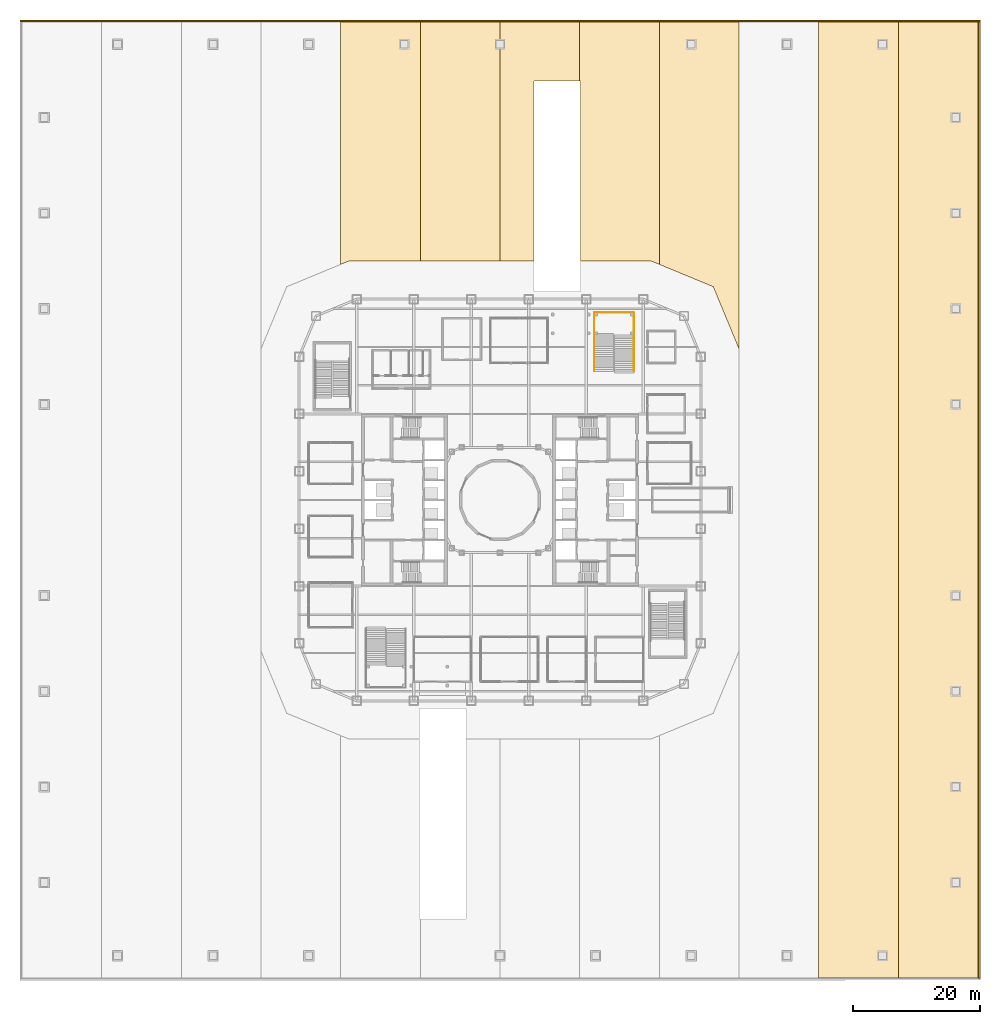
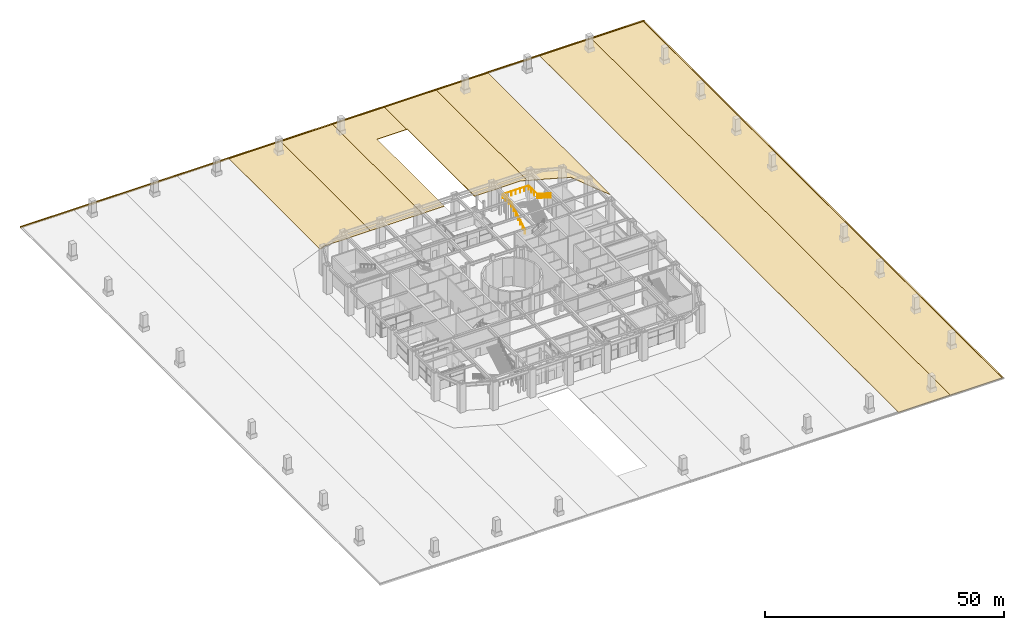
# One storey, part 19 of 20: 9 coverings, 1 railing.
"""IFC4 building model written with IfcOpenShell, lengths in metres."""

from ifc_helpers import new_model, si_unit, direction, frame, origin, origin_2d, place, context, subcontext, project, spatial, polyline, circle, outline, extrude, material, layer, layer_set, type_object, element, save


model = new_model("IFC4")

# Units and contexts
model_context = context("Model", 3, precision=1e-05, world=origin(), true_north=direction((0.0, 1.0)))
body_context = subcontext(model_context, "Body", "Model", "MODEL_VIEW")
ifc_project = project(units=[si_unit("LENGTHUNIT", "METRE"), si_unit("AREAUNIT", "SQUARE_METRE"), si_unit("VOLUMEUNIT", "CUBIC_METRE"), si_unit("PLANEANGLEUNIT", "RADIAN"), si_unit("MASSUNIT", "GRAM", prefix="KILO")], contexts=[model_context])

# Site, building, storey
site_placement = place(None, origin())
site = spatial("IfcSite", under=ifc_project, at=site_placement, CompositionType="ELEMENT")
building_placement = place(site_placement, origin())
building = spatial("IfcBuilding", under=site, at=building_placement, Name="Siwar Civic Tower", CompositionType="ELEMENT")
storey_placement = place(building_placement, origin())
storey = spatial("IfcBuildingStorey", under=building, at=storey_placement, Name="L00", CompositionType="ELEMENT", Elevation=0.0)

# Coverings
ifc_material_1 = material(Name="Granite kerb", Category="masonry")
ifc_layer_1 = layer(ifc_material_1, 0.25)
ifc_layer_set_1 = layer_set([ifc_layer_1], Name="Granite kerb")
covering_type_1 = type_object("IfcCoveringType", Name="GND-KERB", PredefinedType="USERDEFINED", material=ifc_layer_set_1)
covering_1_placement = place(storey_placement, frame((0.0, 0.0, -0.14990234375)))
element("IfcCovering", 1, at=covering_1_placement, inside=storey, type_object=covering_type_1, Name="Kerb", ObjectType="KERB", PredefinedType="USERDEFINED", context=body_context, shape_type="SweptSolid", body=[
    extrude(outline(polyline([(75.0, -75.0), (75.300048828125, -75.0), (75.300048828125, 75.0), (75.0, 75.0), (75.0, -75.0)])), origin(), (0.0, 0.0, 1.0), 0.25),
])
covering_2_placement = place(storey_placement, frame((0.0, 0.0, -0.14990234375)))
element("IfcCovering", 2, at=covering_2_placement, inside=storey, type_object=covering_type_1, Name="Kerb", ObjectType="KERB", PredefinedType="USERDEFINED", context=body_context, shape_type="SweptSolid", body=[
    extrude(outline(polyline([(-75.300048828125, 75.0), (75.300048828125, 75.0), (75.300048828125, 75.300048828125), (-75.300048828125, 75.300048828125), (-75.300048828125, 75.0)])), origin(), (0.0, 0.0, 1.0), 0.25),
])
ifc_material_2 = material(Name="Granite paving", Category="masonry")
ifc_layer_2 = layer(ifc_material_2, 0.14990234375)
ifc_layer_set_2 = layer_set([ifc_layer_2], Name="Granite paving")
covering_type_2 = type_object("IfcCoveringType", Name="GND-PAVING", PredefinedType="USERDEFINED", material=ifc_layer_set_2)
covering_3_placement = place(storey_placement, frame((0.0, 0.0, -0.14990234375)))
element("IfcCovering", 3, at=covering_3_placement, inside=storey, type_object=covering_type_2, Name="Paving", ObjectType="PAVING", PredefinedType="USERDEFINED", context=body_context, shape_type="SweptSolid", body=[
    extrude(outline(polyline([(-12.5, 75.0), (-12.5, 37.5), (-23.693115234375, 37.5), (-25.0, 36.95849609375), (-25.0, 75.0), (-12.5, 75.0)])), origin(), (0.0, 0.0, 1.0), 0.14990234375),
])
covering_4_placement = place(storey_placement, frame((0.0, 0.0, -0.14990234375)))
element("IfcCovering", 4, at=covering_4_placement, inside=storey, type_object=covering_type_2, Name="Paving", ObjectType="PAVING", PredefinedType="USERDEFINED", context=body_context, shape_type="SweptSolid", body=[
    extrude(outline(polyline([(12.5, 75.0), (12.5, 65.699951171875), (5.35009765625, 65.699951171875), (5.35009765625, 37.5), (0.0, 37.5), (0.0, 75.0), (12.5, 75.0)])), origin(), (0.0, 0.0, 1.0), 0.14990234375),
])
covering_5_placement = place(storey_placement, frame((0.0, 0.0, -0.14990234375)))
element("IfcCovering", 5, at=covering_5_placement, inside=storey, type_object=covering_type_2, Name="Paving", ObjectType="PAVING", PredefinedType="USERDEFINED", context=body_context, shape_type="SweptSolid", body=[
    extrude(outline(polyline([(37.5, 75.0), (37.5, 23.693115234375), (33.4560546875, 33.4560546875), (25.0, 36.95849609375), (25.0, 75.0), (37.5, 75.0)])), origin(), (0.0, 0.0, 1.0), 0.14990234375),
])
covering_6_placement = place(storey_placement, frame((0.0, 0.0, -0.14990234375)))
element("IfcCovering", 6, at=covering_6_placement, inside=storey, type_object=covering_type_2, Name="Paving", ObjectType="PAVING", PredefinedType="USERDEFINED", context=body_context, shape_type="SweptSolid", body=[
    extrude(outline(polyline([(62.5, 75.0), (62.5, -75.0), (50.0, -75.0), (50.0, 75.0), (62.5, 75.0)])), origin(), (0.0, 0.0, 1.0), 0.14990234375),
])
ifc_material_3 = material(Name="Limestone paving", Category="masonry")
ifc_layer_3 = layer(ifc_material_3, 0.14990234375)
ifc_layer_set_3 = layer_set([ifc_layer_3], Name="Limestone paving")
covering_type_3 = type_object("IfcCoveringType", Name="GND-PAVING-STONE", PredefinedType="USERDEFINED", material=ifc_layer_set_3)
covering_7_placement = place(storey_placement, frame((0.0, 0.0, -0.14990234375)))
element("IfcCovering", 7, at=covering_7_placement, inside=storey, type_object=covering_type_3, Name="Paving", ObjectType="PAVING", PredefinedType="USERDEFINED", context=body_context, shape_type="SweptSolid", body=[
    extrude(outline(polyline([(0.0, 75.0), (0.0, 37.5), (-12.5, 37.5), (-12.5, 75.0), (0.0, 75.0)])), origin(), (0.0, 0.0, 1.0), 0.14990234375),
])
covering_8_placement = place(storey_placement, frame((0.0, 0.0, -0.14990234375)))
element("IfcCovering", 8, at=covering_8_placement, inside=storey, type_object=covering_type_3, Name="Paving", ObjectType="PAVING", PredefinedType="USERDEFINED", context=body_context, shape_type="SweptSolid", body=[
    extrude(outline(polyline([(25.0, 75.0), (25.0, 36.95849609375), (23.693115234375, 37.5), (12.64990234375, 37.5), (12.64990234375, 65.699951171875), (12.5, 65.699951171875), (12.5, 75.0), (25.0, 75.0)])), origin(), (0.0, 0.0, 1.0), 0.14990234375),
])
covering_9_placement = place(storey_placement, frame((0.0, 0.0, -0.14990234375)))
element("IfcCovering", 9, at=covering_9_placement, inside=storey, type_object=covering_type_3, Name="Paving", ObjectType="PAVING", PredefinedType="USERDEFINED", context=body_context, shape_type="SweptSolid", body=[
    extrude(outline(polyline([(75.0, 75.0), (75.0, -75.0), (62.5, -75.0), (62.5, 75.0), (75.0, 75.0)])), origin(), (0.0, 0.0, 1.0), 0.14990234375),
])

# Railing
ifc_material_4 = material(Name="Stainless steel", Category="steel")
railing_type = type_object("IfcRailingType", Name="GND-RAIL", PredefinedType="GUARDRAIL", material=ifc_material_4)
railing_placement = place(storey_placement, frame((14.800048828125, 20.199951171875, 0.17138671875)))
element("IfcRailing", 10, at=railing_placement, inside=storey, type_object=railing_type, Name="Guard GS2", PredefinedType="GUARDRAIL", context=body_context, shape_type="SweptSolid", body=[
    extrude(circle(Radius=0.02392578125, at=origin_2d()), frame((0.0, 0.0, 1.076171875), z_axis=(0.0, 0.854903959909, 0.518786294472), x_axis=(-1.0, 0.0, 0.0)), (0.0, 0.0, 1.0), 6.609130859375),
    extrude(circle(Radius=0.02392578125, at=origin_2d()), frame((0.0, 5.650146484375, 4.5048828125), z_axis=(0.0, 1.0, 0.0), x_axis=(-1.0, 0.0, 0.0)), (0.0, 0.0, 1.0), 3.5498046875),
    extrude(circle(Radius=0.02392578125, at=origin_2d()), frame((0.0, 9.199951171875, 4.5048828125), z_axis=(1.0, 0.0, 0.0), x_axis=(0.0, 1.0, 0.0)), (0.0, 0.0, 1.0), 6.199951171875),
    extrude(circle(Radius=0.02392578125, at=origin_2d()), frame((6.199951171875, 9.199951171875, 4.5048828125), z_axis=(0.0, -1.0, 0.0), x_axis=(1.0, 0.0, 0.0)), (0.0, 0.0, 1.0), 3.5498046875),
    extrude(circle(Radius=0.02392578125, at=origin_2d()), frame((6.199951171875, 5.650146484375, 4.5048828125), z_axis=(0.0, -0.84337025884, 0.537332863786), x_axis=(1.0, 0.0, 0.0)), (0.0, 0.0, 1.0), 6.699462890625),
    extrude(circle(Radius=0.02099609375, at=origin_2d()), origin(), (0.0, 0.0, 1.0), 1.052001953125),
    extrude(circle(Radius=0.02099609375, at=origin_2d()), frame((0.0, 0.941650390625, 0.571533203125)), (0.0, 0.0, 1.0), 1.052001953125),
    extrude(circle(Radius=0.02099609375, at=origin_2d()), frame((0.0, 1.88330078125, 1.142822265625)), (0.0, 0.0, 1.0), 1.052001953125),
    extrude(circle(Radius=0.02099609375, at=origin_2d()), frame((0.0, 2.8251953125, 1.71435546875)), (0.0, 0.0, 1.0), 1.052001953125),
    extrude(circle(Radius=0.02099609375, at=origin_2d()), frame((0.0, 3.766845703125, 2.285888671875)), (0.0, 0.0, 1.0), 1.052001953125),
    extrude(circle(Radius=0.02099609375, at=origin_2d()), frame((0.0, 4.70849609375, 2.857177734375)), (0.0, 0.0, 1.0), 1.052001953125),
    extrude(circle(Radius=0.02099609375, at=origin_2d()), frame((0.0, 5.650146484375, 3.4287109375)), (0.0, 0.0, 1.0), 1.052001953125),
    extrude(circle(Radius=0.02099609375, at=origin_2d()), frame((0.0, 6.83349609375, 3.4287109375)), (0.0, 0.0, 1.0), 1.052001953125),
    extrude(circle(Radius=0.02099609375, at=origin_2d()), frame((0.0, 8.0166015625, 3.4287109375)), (0.0, 0.0, 1.0), 1.052001953125),
    extrude(circle(Radius=0.02099609375, at=origin_2d()), frame((0.0, 9.199951171875, 3.4287109375)), (0.0, 0.0, 1.0), 1.052001953125),
    extrude(circle(Radius=0.02099609375, at=origin_2d()), frame((1.033203125, 9.199951171875, 3.4287109375)), (0.0, 0.0, 1.0), 1.052001953125),
    extrude(circle(Radius=0.02099609375, at=origin_2d()), frame((2.066650390625, 9.199951171875, 3.4287109375)), (0.0, 0.0, 1.0), 1.052001953125),
    extrude(circle(Radius=0.02099609375, at=origin_2d()), frame((3.10009765625, 9.199951171875, 3.4287109375)), (0.0, 0.0, 1.0), 1.052001953125),
    extrude(circle(Radius=0.02099609375, at=origin_2d()), frame((4.13330078125, 9.199951171875, 3.4287109375)), (0.0, 0.0, 1.0), 1.052001953125),
    extrude(circle(Radius=0.02099609375, at=origin_2d()), frame((5.16650390625, 9.199951171875, 3.4287109375)), (0.0, 0.0, 1.0), 1.052001953125),
    extrude(circle(Radius=0.02099609375, at=origin_2d()), frame((6.199951171875, 9.199951171875, 3.4287109375)), (0.0, 0.0, 1.0), 1.052001953125),
    extrude(circle(Radius=0.02099609375, at=origin_2d()), frame((6.199951171875, 8.0166015625, 3.4287109375)), (0.0, 0.0, 1.0), 1.052001953125),
    extrude(circle(Radius=0.02099609375, at=origin_2d()), frame((6.199951171875, 6.83349609375, 3.4287109375)), (0.0, 0.0, 1.0), 1.052001953125),
    extrude(circle(Radius=0.02099609375, at=origin_2d()), frame((6.199951171875, 5.650146484375, 3.4287109375)), (0.0, 0.0, 1.0), 1.052001953125),
    extrude(circle(Radius=0.02099609375, at=origin_2d()), frame((6.199951171875, 4.70849609375, 4.02880859375)), (0.0, 0.0, 1.0), 1.052001953125),
    extrude(circle(Radius=0.02099609375, at=origin_2d()), frame((6.199951171875, 3.766845703125, 4.628662109375)), (0.0, 0.0, 1.0), 1.052001953125),
    extrude(circle(Radius=0.02099609375, at=origin_2d()), frame((6.199951171875, 2.8251953125, 5.228515625)), (0.0, 0.0, 1.0), 1.052001953125),
    extrude(circle(Radius=0.02099609375, at=origin_2d()), frame((6.199951171875, 1.88330078125, 5.82861328125)), (0.0, 0.0, 1.0), 1.052001953125),
    extrude(circle(Radius=0.02099609375, at=origin_2d()), frame((6.199951171875, 0.941650390625, 6.4287109375)), (0.0, 0.0, 1.0), 1.052001953125),
    extrude(circle(Radius=0.02099609375, at=origin_2d()), frame((6.199951171875, 0.0, 7.028564453125)), (0.0, 0.0, 1.0), 1.052001953125),
])

save(model, "model.ifc")
